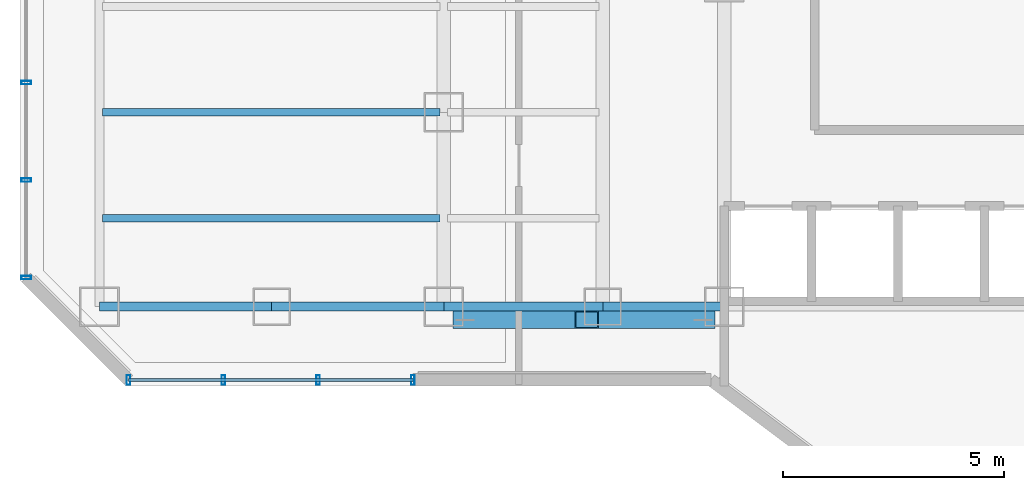
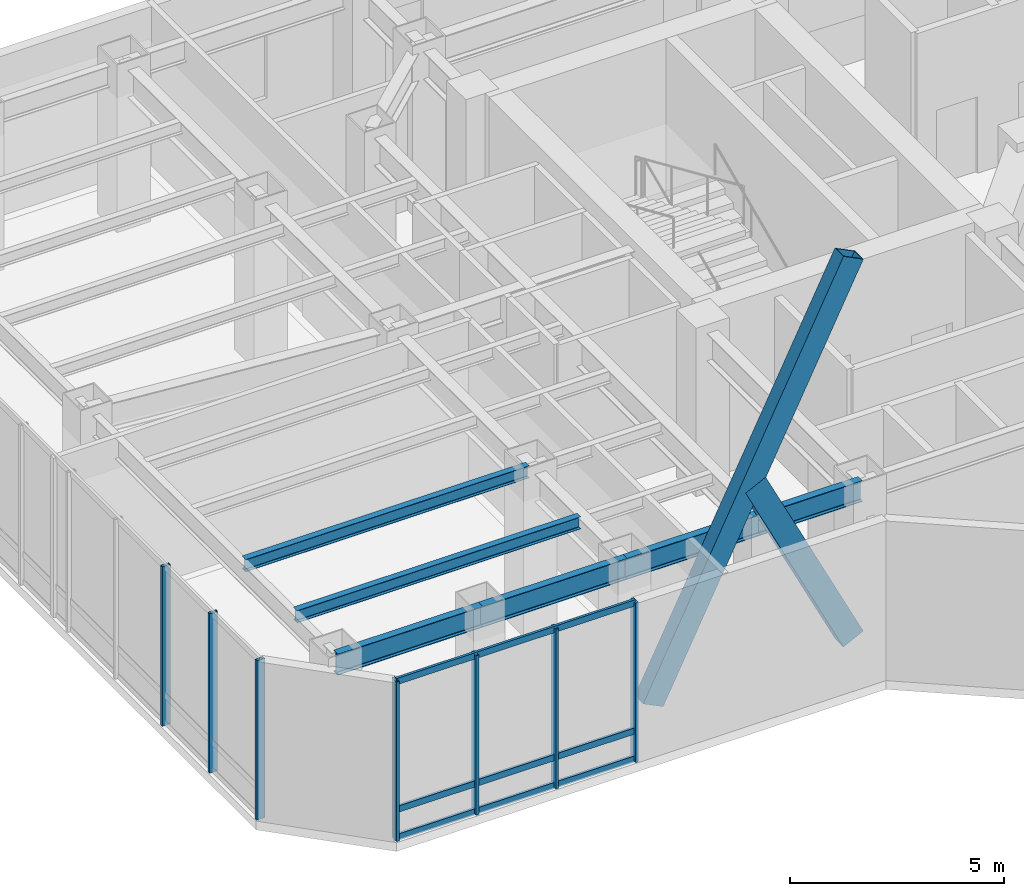
# One storey, part 2 of 27: 12 members, 6 beams, 2 elements without a shape of their own.
"""IFC4 building model written with IfcOpenShell, lengths in metres."""

from ifc_helpers import new_model, si_unit, direction, frame, origin, origin_2d, place, context, subcontext, project, spatial, hollow_rectangle, i_section, extrude, material, layer, layer_set, material_profile, profile_set, type_object, element, aggregate, save


model = new_model("IFC4")

# Units and contexts
model_context = context("Model", 3, precision=1e-05, world=origin(), true_north=direction((0.0, 1.0)))
body_context = subcontext(model_context, "Body", "Model", "MODEL_VIEW")
ifc_project = project(units=[si_unit("LENGTHUNIT", "METRE"), si_unit("AREAUNIT", "SQUARE_METRE"), si_unit("VOLUMEUNIT", "CUBIC_METRE"), si_unit("PLANEANGLEUNIT", "RADIAN"), si_unit("MASSUNIT", "GRAM", prefix="KILO")], contexts=[model_context])

# Site, building, storey
site_placement = place(None, origin())
site = spatial("IfcSite", under=ifc_project, at=site_placement, CompositionType="ELEMENT")
building_placement = place(site_placement, origin())
building = spatial("IfcBuilding", under=site, at=building_placement, Name="Hatsunagi Terrace Concourse", CompositionType="ELEMENT")
storey_placement = place(building_placement, frame((0.0, 0.0, 96.449951171875)))
storey = spatial("IfcBuildingStorey", under=building, at=storey_placement, Name="L25", CompositionType="ELEMENT", Elevation=96.449951171875)

# Curtain wall, members
ifc_material_1 = material(Name="Anodised Aluminium Alloy 6063-T5", Category="aluminium")
ifc_layer = layer(ifc_material_1, 0.199951171875)
ifc_layer_set = layer_set([ifc_layer], Name="SkyLobbyAtrium_CW05")
curtain_wall_type = type_object("IfcCurtainWallType", Name="SkyLobbyAtrium_CW05", PredefinedType="NOTDEFINED", material=ifc_layer_set)
curtain_wall_1_placement = place(storey_placement, origin())
curtain_wall_1 = element("IfcCurtainWall", 1, at=curtain_wall_1_placement, inside=storey, type_object=curtain_wall_type, Name="Unitised Curtain Wall CW-05 CW-L25-07", PredefinedType="NOTDEFINED")
ifc_material_2 = material(Name="Anodised Aluminium Alloy 6063-T5", Category="aluminium")
ifc_material_profile_1 = material_profile(ifc_material_2, hollow_rectangle(XDim=0.080078125, YDim=0.219970703125, WallThickness=0.0048828125, at=origin_2d()), Name="ALU-MUL-220x80x5")
ifc_profile_set_1 = profile_set([ifc_material_profile_1], Name="Anodised Aluminium Alloy 6063-T5")
member_type_1 = type_object("IfcMemberType", Name="CurtainWallMullion_Heavy_220x80", PredefinedType="MULLION", material=ifc_profile_set_1)
member_1_placement = place(storey_placement, frame((18.5, 23.5400390625, 0.0), z_axis=(0.0, 0.0, 1.0), x_axis=(-1.0, 0.0, 0.0)))
member_1 = element("IfcMember", 2, at=member_1_placement, type_object=member_type_1, Name="Curtain Wall Mullion MUL-01", PredefinedType="MULLION", context=body_context, shape_type="SweptSolid", body=[
    extrude(hollow_rectangle(XDim=0.080078125, YDim=0.219970703125, WallThickness=0.0048828125, at=origin_2d()), origin(), (0.0, 0.0, 1.0), 4.550048828125),
])
member_2_placement = place(storey_placement, frame((16.35302734375, 23.5400390625, 0.0), z_axis=(0.0, 0.0, 1.0), x_axis=(-1.0, 0.0, 0.0)))
member_2 = element("IfcMember", 3, at=member_2_placement, type_object=member_type_1, Name="Curtain Wall Mullion MUL-01", PredefinedType="MULLION", context=body_context, shape_type="SweptSolid", body=[
    extrude(hollow_rectangle(XDim=0.080078125, YDim=0.219970703125, WallThickness=0.0048828125, at=origin_2d()), origin(), (0.0, 0.0, 1.0), 4.550048828125),
])
member_3_placement = place(storey_placement, frame((14.205078125, 23.5400390625, 0.0), z_axis=(0.0, 0.0, 1.0), x_axis=(-1.0, 0.0, 0.0)))
member_3 = element("IfcMember", 4, at=member_3_placement, type_object=member_type_1, Name="Curtain Wall Mullion MUL-01", PredefinedType="MULLION", context=body_context, shape_type="SweptSolid", body=[
    extrude(hollow_rectangle(XDim=0.080078125, YDim=0.219970703125, WallThickness=0.0048828125, at=origin_2d()), origin(), (0.0, 0.0, 1.0), 4.550048828125),
])
member_4_placement = place(storey_placement, frame((12.05810546875, 23.5400390625, 0.0), z_axis=(0.0, 0.0, 1.0), x_axis=(-1.0, 0.0, 0.0)))
member_4 = element("IfcMember", 5, at=member_4_placement, type_object=member_type_1, Name="Curtain Wall Mullion MUL-01", PredefinedType="MULLION", context=body_context, shape_type="SweptSolid", body=[
    extrude(hollow_rectangle(XDim=0.080078125, YDim=0.219970703125, WallThickness=0.0048828125, at=origin_2d()), origin(), (0.0, 0.0, 1.0), 4.550048828125),
])

curtain_wall_2_placement = place(storey_placement, origin())
curtain_wall_2 = element("IfcCurtainWall", 6, at=curtain_wall_2_placement, inside=storey, type_object=curtain_wall_type, Name="Unitised Curtain Wall CW-05 CW-L25-09", PredefinedType="NOTDEFINED")
member_5_placement = place(storey_placement, frame((9.739990234375, 25.85791015625, 0.0), z_axis=(0.0, 0.0, 1.0), x_axis=(0.0, 1.0, 0.0)))
member_5 = element("IfcMember", 7, at=member_5_placement, type_object=member_type_1, Name="Curtain Wall Mullion MUL-01", PredefinedType="MULLION", context=body_context, shape_type="SweptSolid", body=[
    extrude(hollow_rectangle(XDim=0.080078125, YDim=0.219970703125, WallThickness=0.0048828125, at=origin_2d()), origin(), (0.0, 0.0, 1.0), 4.550048828125),
])
member_6_placement = place(storey_placement, frame((9.739990234375, 28.06591796875, 0.0), z_axis=(0.0, 0.0, 1.0), x_axis=(0.0, 1.0, 0.0)))
member_6 = element("IfcMember", 8, at=member_6_placement, type_object=member_type_1, Name="Curtain Wall Mullion MUL-01", PredefinedType="MULLION", context=body_context, shape_type="SweptSolid", body=[
    extrude(hollow_rectangle(XDim=0.080078125, YDim=0.219970703125, WallThickness=0.0048828125, at=origin_2d()), origin(), (0.0, 0.0, 1.0), 4.550048828125),
])
member_7_placement = place(storey_placement, frame((9.739990234375, 30.27490234375, 0.0), z_axis=(0.0, 0.0, 1.0), x_axis=(0.0, 1.0, 0.0)))
member_7 = element("IfcMember", 9, at=member_7_placement, type_object=member_type_1, Name="Curtain Wall Mullion MUL-01", PredefinedType="MULLION", context=body_context, shape_type="SweptSolid", body=[
    extrude(hollow_rectangle(XDim=0.080078125, YDim=0.219970703125, WallThickness=0.0048828125, at=origin_2d()), origin(), (0.0, 0.0, 1.0), 4.550048828125),
])
aggregate(curtain_wall_2, [member_5, member_6, member_7])

# Member
ifc_material_3 = material(Name="Anodised Aluminium Alloy 6063-T5", Category="aluminium")
ifc_material_profile_2 = material_profile(ifc_material_3, hollow_rectangle(XDim=0.070068359375, YDim=0.179931640625, WallThickness=0.00390625, at=origin_2d()), Name="ALU-TRN-180x70x4")
ifc_profile_set_2 = profile_set([ifc_material_profile_2], Name="Anodised Aluminium Alloy 6063-T5")
member_type_2 = type_object("IfcMemberType", Name="CurtainWallTransom_Heavy_180x70", PredefinedType="USERDEFINED", material=ifc_profile_set_2)
member_8_placement = place(storey_placement, frame((18.5, 23.5400390625, 0.050048828125), z_axis=(-1.0, 0.0, 0.0), x_axis=(0.0, -1.0, 0.0)))
member_8 = element("IfcMember", 10, at=member_8_placement, type_object=member_type_2, Name="Curtain Wall Transom TRN-01", ObjectType="TRANSOM", PredefinedType="USERDEFINED", context=body_context, shape_type="SweptSolid", body=[
    extrude(hollow_rectangle(XDim=0.070068359375, YDim=0.179931640625, WallThickness=0.00390625, at=origin_2d()), origin(), (0.0, 0.0, 1.0), 6.44189453125),
])

member_9_placement = place(storey_placement, frame((18.5, 23.5400390625, 0.85009765625), z_axis=(-1.0, 0.0, 0.0), x_axis=(0.0, -1.0, 0.0)))
member_9 = element("IfcMember", 11, at=member_9_placement, type_object=member_type_2, Name="Curtain Wall Transom TRN-01", ObjectType="TRANSOM", PredefinedType="USERDEFINED", context=body_context, shape_type="SweptSolid", body=[
    extrude(hollow_rectangle(XDim=0.070068359375, YDim=0.179931640625, WallThickness=0.00390625, at=origin_2d()), origin(), (0.0, 0.0, 1.0), 6.44189453125),
])

member_10_placement = place(storey_placement, frame((18.5, 23.5400390625, 4.5), z_axis=(-1.0, 0.0, 0.0), x_axis=(0.0, -1.0, 0.0)))
member_10 = element("IfcMember", 12, at=member_10_placement, type_object=member_type_2, Name="Curtain Wall Transom TRN-01", ObjectType="TRANSOM", PredefinedType="USERDEFINED", context=body_context, shape_type="SweptSolid", body=[
    extrude(hollow_rectangle(XDim=0.070068359375, YDim=0.179931640625, WallThickness=0.00390625, at=origin_2d()), origin(), (0.0, 0.0, 1.0), 6.44189453125),
])

aggregate(curtain_wall_1, [member_1, member_2, member_3, member_4, member_8, member_9, member_10])

# Beams
ifc_material_4 = material(Name="Steel SN490B", Category="steel")
ifc_material_profile_3 = material_profile(ifc_material_4, i_section(OverallWidth=0.175048828125, OverallDepth=0.35009765625, WebThickness=0.007080078125, FlangeThickness=0.010986328125, FilletRadius=0.012939453125, at=origin_2d()), Name="H-350x175x7x11")
ifc_profile_set_3 = profile_set([ifc_material_profile_3], Name="Steel SN490B")
beam_type_1 = type_object("IfcBeamType", Name="HotelJoist_H_350x175", PredefinedType="JOIST", material=ifc_profile_set_3)
for number, where, z_axis, x_axis, name in (
    (13, (11.465087890625, 27.199951171875, 4.375), (1.0, 0.0, 0.0), (0.0, 1.0, 0.0), "Beam J-02 J-L25-W-11-272"),
    (14, (11.465087890625, 29.60009765625, 4.375), (1.0, 0.0, 0.0), (0.0, 1.0, 0.0), "Beam J-02 J-L25-W-11-296"),
):
    element("IfcBeam", number, at=place(storey_placement, frame(where, z_axis=z_axis, x_axis=x_axis)), inside=storey, type_object=beam_type_1, Name=name, PredefinedType="JOIST", context=body_context, shape_type="SweptSolid", body=[
        extrude(i_section(OverallWidth=0.175048828125, OverallDepth=0.35009765625, WebThickness=0.007080078125, FlangeThickness=0.010986328125, FilletRadius=0.012939453125, at=origin_2d()), origin(), (0.0, 0.0, 1.0), 7.64990234375),
    ])
ifc_material_5 = material(Name="Steel SN490B", Category="steel")
ifc_material_profile_4 = material_profile(ifc_material_5, i_section(OverallWidth=0.199951171875, OverallDepth=0.60009765625, WebThickness=0.010986328125, FlangeThickness=0.01708984375, FilletRadius=0.01806640625, at=origin_2d()), Name="H-600x200x11x17")
ifc_profile_set_4 = profile_set([ifc_material_profile_4], Name="Steel SN490B")
beam_type_2 = type_object("IfcBeamType", Name="PerimeterSpandrel_H_600x200", PredefinedType="SPANDREL", material=ifc_profile_set_4)
beam_1_placement = place(storey_placement, frame((11.39990234375, 25.199951171875, 4.25), z_axis=(1.0, 0.0, 0.0), x_axis=(0.0, 1.0, 0.0)))
element("IfcBeam", 15, at=beam_1_placement, inside=storey, type_object=beam_type_2, Name="Beam SP-01 BM-L25-WS-11", PredefinedType="SPANDREL", context=body_context, shape_type="SweptSolid", body=[
    extrude(i_section(OverallWidth=0.199951171875, OverallDepth=0.60009765625, WebThickness=0.010986328125, FlangeThickness=0.01708984375, FilletRadius=0.01806640625, at=origin_2d()), origin(), (0.0, 0.0, 1.0), 3.900146484375),
])
beam_2_placement = place(storey_placement, frame((15.300048828125, 25.199951171875, 4.25), z_axis=(1.0, 0.0, 0.0), x_axis=(0.0, 1.0, 0.0)))
element("IfcBeam", 16, at=beam_2_placement, inside=storey, type_object=beam_type_2, Name="Beam SP-01 BM-L25-WS-15", PredefinedType="SPANDREL", context=body_context, shape_type="SweptSolid", body=[
    extrude(i_section(OverallWidth=0.199951171875, OverallDepth=0.60009765625, WebThickness=0.010986328125, FlangeThickness=0.01708984375, FilletRadius=0.01806640625, at=origin_2d()), origin(), (0.0, 0.0, 1.0), 3.89990234375),
])
beam_3_placement = place(storey_placement, frame((19.199951171875, 25.199951171875, 4.25), z_axis=(1.0, 0.0, 0.0), x_axis=(0.0, 1.0, 0.0)))
element("IfcBeam", 17, at=beam_3_placement, inside=storey, type_object=beam_type_2, Name="Beam SP-01 BM-L25-WS-19", PredefinedType="SPANDREL", context=body_context, shape_type="SweptSolid", body=[
    extrude(i_section(OverallWidth=0.199951171875, OverallDepth=0.60009765625, WebThickness=0.010986328125, FlangeThickness=0.01708984375, FilletRadius=0.01806640625, at=origin_2d()), origin(), (0.0, 0.0, 1.0), 3.60009765625),
])
beam_4_placement = place(storey_placement, frame((22.800048828125, 25.199951171875, 4.25), z_axis=(1.0, 0.0, 0.0), x_axis=(0.0, 1.0, 0.0)))
element("IfcBeam", 18, at=beam_4_placement, inside=storey, type_object=beam_type_2, Name="Beam SP-01 BM-L25-WS-22", PredefinedType="SPANDREL", context=body_context, shape_type="SweptSolid", body=[
    extrude(i_section(OverallWidth=0.199951171875, OverallDepth=0.60009765625, WebThickness=0.010986328125, FlangeThickness=0.01708984375, FilletRadius=0.01806640625, at=origin_2d()), origin(), (0.0, 0.0, 1.0), 2.75),
])

# Members
ifc_material_6 = material(Name="Steel SN490B", Category="steel")
ifc_material_profile_5 = material_profile(ifc_material_6, hollow_rectangle(XDim=0.39990234375, YDim=0.60009765625, WallThickness=0.02490234375, at=origin_2d()), Name="RHS-600x400x25")
ifc_profile_set_5 = profile_set([ifc_material_profile_5], Name="Steel SN490B")
member_type_3 = type_object("IfcMemberType", Name="PerimeterXBrace_Mid_RHS_600x400x25", PredefinedType="BRACE", material=ifc_profile_set_5)
member_11_placement = place(storey_placement, frame((19.675048828125, 24.89990234375, 0.43994140625), z_axis=(0.444894891896, 0.0, 0.895582790793), x_axis=(0.0, 1.0, 0.0)))
element("IfcMember", 19, at=member_11_placement, inside=storey, type_object=member_type_3, Name="Perimeter X-Brace XB-02 XB-L25-W1A", PredefinedType="BRACE", context=body_context, shape_type="SweptSolid", body=[
    extrude(hollow_rectangle(XDim=0.39990234375, YDim=0.60009765625, WallThickness=0.02490234375, at=origin_2d()), origin(), (0.0, 0.0, 1.0), 12.137451171875),
])
member_12_placement = place(storey_placement, frame((22.43701171875, 24.89990234375, 5.75), z_axis=(0.444906255561, 0.0, -0.895577145623), x_axis=(0.0, 1.0, 0.0)))
element("IfcMember", 20, at=member_12_placement, inside=storey, type_object=member_type_3, Name="Perimeter X-Brace Split Lower XB-02 XB-L25-W1B2", PredefinedType="BRACE", context=body_context, shape_type="SweptSolid", body=[
    extrude(hollow_rectangle(XDim=0.39990234375, YDim=0.60009765625, WallThickness=0.02490234375, at=origin_2d()), origin(), (0.0, 0.0, 1.0), 5.92919921875),
])

save(model, "model.ifc")
